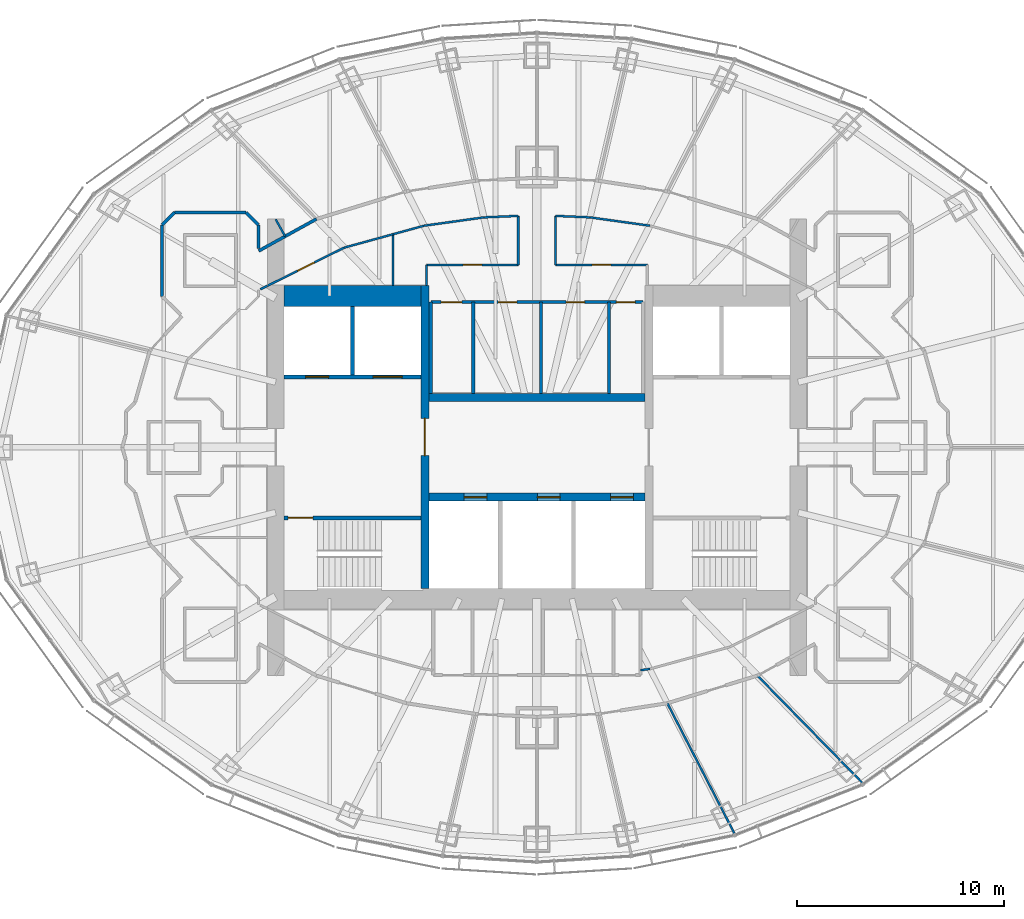
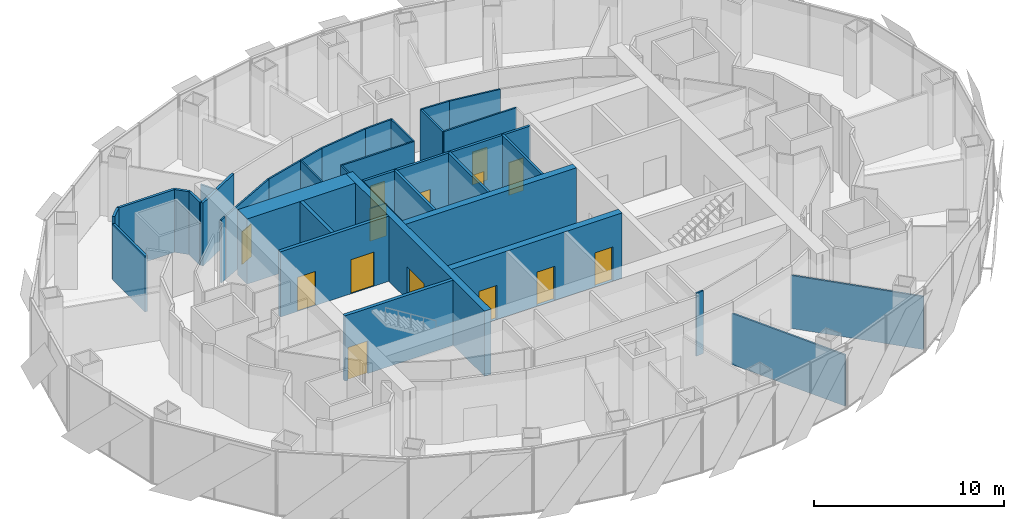
# One storey, part 13 of 19: 36 walls, 14 doors, 14 openings.
"""IFC4 building model written with IfcOpenShell, lengths in metres."""

import ifcopenshell
import ifcopenshell.guid

model = None  # the IFC model being written
_history = None  # IfcOwnerHistory: only IFC2X3 demands one
_inside = {}  # id of a spatial element -> (the spatial element, [elements in it])
_under = {}  # id of a project, library or spatial element -> (it, [spatial elements below it])
_declared = {}  # id of a project -> (the project, [libraries it declares])
_typed = {}  # id of a type object -> (the type object, [elements of that type])
_made_of = {}  # id of a material, layer set ... -> (it, [elements and type objects made of it])


def new_model(schema):
    """Start an empty IFC model of exactly this schema.

    Asked for "IFC4X3", IfcOpenShell would pick the latest addendum, in which some entities
    have other attributes; the version numbers below select the first issue.
    IFC2X3 requires an IfcOwnerHistory on every rooted entity: one is made here for all.
    """
    global model, _history
    if schema == "IFC4X3":
        model = ifcopenshell.file(schema_version=(4, 3, 0, 0))
    else:
        model = ifcopenshell.file(schema=schema)
    _inside.clear()
    _under.clear()
    _declared.clear()
    _typed.clear()
    _made_of.clear()
    _history = None
    if model.schema == "IFC2X3":
        org = make("IfcOrganization", Name="unknown")
        user = make(
            "IfcPersonAndOrganization",
            ThePerson=make("IfcPerson", FamilyName="unknown"),
            TheOrganization=org,
        )
        app = make(
            "IfcApplication",
            ApplicationDeveloper=org,
            Version="unknown",
            ApplicationFullName="unknown",
            ApplicationIdentifier="unknown",
        )
        _history = make(
            "IfcOwnerHistory",
            OwningUser=user,
            OwningApplication=app,
            ChangeAction="ADDED",
            CreationDate=0,
        )
    return model


def make(cls, **values):
    """One entity of the class cls with the attributes given. An attribute that is None is left unset."""
    return model.create_entity(
        cls, **{name: value for name, value in values.items() if value is not None}
    )


def rooted(cls, **values):
    """An entity with a GlobalId (a new one), such as an element, a storey or a relation."""
    return make(cls, GlobalId=ifcopenshell.guid.new(), OwnerHistory=_history, **values)


def si_unit(unit_type, name, prefix=None):
    """IfcSIUnit, for example si_unit("LENGTHUNIT", "METRE", prefix="MILLI")."""
    return make("IfcSIUnit", UnitType=unit_type, Prefix=prefix, Name=name)


def assignment(units):
    """IfcUnitAssignment: the units of a project."""
    return None if units is None else make("IfcUnitAssignment", Units=units)


def point(xyz):
    """IfcCartesianPoint."""
    return None if xyz is None else make("IfcCartesianPoint", Coordinates=xyz)


def direction(xyz):
    """IfcDirection."""
    return None if xyz is None else make("IfcDirection", DirectionRatios=xyz)


def frame(location, z_axis=None, x_axis=None):
    """IfcAxis2Placement3D, a coordinate frame: its origin and axes. An axis left out is left unset."""
    return make(
        "IfcAxis2Placement3D",
        Location=point(location),
        Axis=direction(z_axis),
        RefDirection=direction(x_axis),
    )


def frame_2d(location, x_axis=None):
    """IfcAxis2Placement2D, a coordinate frame in the plane: its origin and x axis."""
    return make(
        "IfcAxis2Placement2D", Location=point(location), RefDirection=direction(x_axis)
    )


def origin():
    """The frame at (0, 0, 0) with its axes left unset."""
    return frame((0.0, 0.0, 0.0))


def place(relative_to, where):
    """IfcLocalPlacement: puts the frame where relative to a parent placement (None: the world)."""
    return make(
        "IfcLocalPlacement", PlacementRelTo=relative_to, RelativePlacement=where
    )


def context(
    kind, dimensions, precision=None, world=None, true_north=None, identifier=None
):
    """IfcGeometricRepresentationContext, for example the 3D "Model" context."""
    return make(
        "IfcGeometricRepresentationContext",
        ContextIdentifier=identifier,
        ContextType=kind,
        CoordinateSpaceDimension=dimensions,
        Precision=precision,
        WorldCoordinateSystem=world,
        TrueNorth=true_north,
    )


def subcontext(parent, identifier, kind, view, scale=None):
    """IfcGeometricRepresentationSubContext, for example "Body" below "Model"."""
    return make(
        "IfcGeometricRepresentationSubContext",
        ContextIdentifier=identifier,
        ContextType=kind,
        ParentContext=parent,
        TargetScale=scale,
        TargetView=view,
    )


def project(units=None, contexts=None):
    """IfcProject with its units and contexts."""
    return rooted(
        "IfcProject",
        Name="project",
        RepresentationContexts=contexts,
        UnitsInContext=assignment(units),
    )


def spatial(cls, under=None, at=None, **own):
    """A site, building, storey or space (cls), placed at a placement, below another one or the project."""
    s = rooted(cls, ObjectPlacement=at, **own)
    if under is not None:
        _under.setdefault(under.id(), (under, []))[1].append(s)
    return s


def profile(cls, at=None, kind="AREA", **sizes):
    """A parametric profile (cls). Its sizes go by their IFC names, for example OverallWidth=200.0."""
    return make(cls, ProfileType=kind, Position=at, **sizes)


def rectangle(**sizes):
    """IfcRectangleProfileDef."""
    return profile("IfcRectangleProfileDef", **sizes)


def extrude(swept, where, along, depth):
    """IfcExtrudedAreaSolid: the profile swept, set in the frame where, extruded along a direction by depth."""
    return make(
        "IfcExtrudedAreaSolid",
        SweptArea=swept,
        Position=where,
        ExtrudedDirection=direction(along),
        Depth=depth,
    )


def shape(context_of_items, identifier, shape_type, items):
    """IfcShapeRepresentation: the items that make up one representation, for example the "Body"."""
    return make(
        "IfcShapeRepresentation",
        ContextOfItems=context_of_items,
        RepresentationIdentifier=identifier,
        RepresentationType=shape_type,
        Items=items,
    )


def material(Name=None, Category=None):
    """IfcMaterial."""
    return make("IfcMaterial", Name=Name, Category=Category)


def layer(
    of_material, thickness, ventilated=None, Name=None, Category=None, Priority=None
):
    """IfcMaterialLayer: one layer of a wall or slab, of a material (None: an air gap)."""
    return make(
        "IfcMaterialLayer",
        Material=of_material,
        LayerThickness=thickness,
        IsVentilated=ventilated,
        Name=Name,
        Category=Category,
        Priority=Priority,
    )


def layer_set(layers, Name=None):
    """IfcMaterialLayerSet."""
    return make("IfcMaterialLayerSet", MaterialLayers=layers, LayerSetName=Name)


def made_of(thing, what):
    """Note that an element or type object is made of a material, layer set ...; save() writes the relation."""
    if what is not None:
        _made_of.setdefault(what.id(), (what, []))[1].append(thing)
    return thing


def type_object(cls, material=None, **own):
    """A type object (cls), such as IfcWallType, which elements share."""
    return made_of(rooted(cls, **own), material)


def element(
    cls,
    number,
    at=None,
    inside=None,
    cuts=None,
    type_object=None,
    material=None,
    context=None,
    identifier="Body",
    shape_type=None,
    held_by="IfcProductDefinitionShape",
    body=None,
    shapes=None,
    **own,
):
    """One element of the class cls, such as IfcWall. Its Tag is "e" and its number.

    at: its placement. inside: the storey or other place that contains it. cuts: it is an
    opening in that element (IfcRelVoidsElement). A single representation is given by context,
    identifier, shape_type and body (its items); several are given by shapes. held_by: the class
    of the entity that holds the representations. save() writes the other relations.
    """
    e = rooted(cls, Tag="e%d" % number, ObjectPlacement=at, **own)
    if body is not None:
        shapes = [shape(context, identifier, shape_type, body)]
    if shapes is not None:
        e.Representation = make(held_by, Representations=shapes)
    if inside is not None:
        _inside.setdefault(inside.id(), (inside, []))[1].append(e)
    if cuts is not None:
        rooted(
            "IfcRelVoidsElement", RelatingBuildingElement=cuts, RelatedOpeningElement=e
        )
    if type_object is not None:
        _typed.setdefault(type_object.id(), (type_object, []))[1].append(e)
    return made_of(e, material)


def fill(opening, filler):
    """IfcRelFillsElement: the door or window that sits in an opening."""
    return rooted(
        "IfcRelFillsElement",
        RelatingOpeningElement=opening,
        RelatedBuildingElement=filler,
    )


def aggregate(whole, parts):
    """IfcRelAggregates: a whole, such as a stair, and the parts it consists of."""
    return rooted("IfcRelAggregates", RelatingObject=whole, RelatedObjects=parts)


def save(model, path):
    """Write the relations noted so far, then the file.

    IfcRelAggregates (storeys below a building ...), IfcRelContainedInSpatialStructure (elements
    in a storey), IfcRelDefinesByType, IfcRelAssociatesMaterial and IfcRelDeclares: one each for
    every whole, place, type object, material and project.
    """
    for whole, parts in _under.values():
        aggregate(whole, parts)
    for where, things in _inside.values():
        rooted(
            "IfcRelContainedInSpatialStructure",
            RelatedElements=things,
            RelatingStructure=where,
        )
    for kind, things in _typed.values():
        rooted("IfcRelDefinesByType", RelatedObjects=things, RelatingType=kind)
    for what, things in _made_of.values():
        rooted("IfcRelAssociatesMaterial", RelatedObjects=things, RelatingMaterial=what)
    for by, libraries in _declared.values():
        rooted("IfcRelDeclares", RelatingContext=by, RelatedDefinitions=libraries)
    model.write(path)


model = new_model("IFC4")

# Units and contexts
model_context = context("Model", 3, precision=1e-05, world=origin(), true_north=direction((0.0, 1.0)))
body_context = subcontext(model_context, "Body", "Model", "MODEL_VIEW")
ifc_project = project(units=[si_unit("LENGTHUNIT", "METRE"), si_unit("AREAUNIT", "SQUARE_METRE"), si_unit("VOLUMEUNIT", "CUBIC_METRE"), si_unit("PLANEANGLEUNIT", "RADIAN"), si_unit("MASSUNIT", "GRAM", prefix="KILO")], contexts=[model_context])

# Site, building, storey
site_placement = place(None, origin())
site = spatial("IfcSite", under=ifc_project, at=site_placement, CompositionType="ELEMENT")
building_placement = place(site_placement, origin())
building = spatial("IfcBuilding", under=site, at=building_placement, Name="Lantaw Convention Tower", CompositionType="ELEMENT")
storey_placement = place(building_placement, frame((0.0, 0.0, 253.60009765625)))
storey = spatial("IfcBuildingStorey", under=building, at=storey_placement, Name="L59", CompositionType="ELEMENT", Elevation=253.60009765625)

# Wall
ifc_material_1 = material(Name="Concrete C60/75", Category="concrete")
ifc_layer_1 = layer(ifc_material_1, 1.0)
ifc_layer_set_1 = layer_set([ifc_layer_1], Name="Core wall 1000")
wall_type_1 = type_object("IfcWallType", Name="Core wall 1000", PredefinedType="SHEAR", material=ifc_layer_set_1)
wall_1_placement = place(storey_placement, frame((-5.60009765625, 7.300048828125, 0.0), z_axis=(0.0, 0.0, 1.0), x_axis=(-1.0, 0.0, 0.0)))
element("IfcWall", 1, at=wall_1_placement, inside=storey, type_object=wall_type_1, Name="Core wall NW", PredefinedType="SHEAR", context=body_context, shape_type="SweptSolid", body=[
    extrude(rectangle(XDim=6.599853515625, YDim=1.0, at=frame_2d((3.2998046875, 0.0))), origin(), (0.0, 0.0, 1.0), 4.199951171875),
])

# Wall, opening, door
ifc_layer_2 = layer(ifc_material_1, 0.199951171875)
ifc_layer_set_2 = layer_set([ifc_layer_2], Name="Core wall 200")
wall_type_2 = type_object("IfcWallType", Name="Core wall 200", PredefinedType="SHEAR", material=ifc_layer_set_2)
wall_2_placement = place(storey_placement, frame((-5.60009765625, -3.39990234375, 0.0), z_axis=(0.0, 0.0, 1.0), x_axis=(-1.0, 0.0, 0.0)))
wall_2 = element("IfcWall", 2, at=wall_2_placement, inside=storey, type_object=wall_type_2, Name="Core wall WS", PredefinedType="SHEAR", context=body_context, shape_type="SweptSolid", body=[
    extrude(rectangle(XDim=6.599853515625, YDim=0.199951171875, at=frame_2d((3.2998046875, 0.0))), origin(), (0.0, 0.0, 1.0), 4.199951171875),
])
opening_1_placement = place(wall_2_placement, frame((5.199951171875, 0.0, 0.0)))
opening_1 = element("IfcOpeningElement", 3, at=opening_1_placement, cuts=wall_2, Name="Opening L59.04", PredefinedType="OPENING", context=body_context, shape_type="SweptSolid", body=[
    extrude(rectangle(XDim=1.199951171875, YDim=2.10009765625, at=frame_2d((0.60009765625, 1.050048828125))), frame((0.0, 0.10986328125, 0.0), z_axis=(0.0, -1.0, 0.0), x_axis=(1.0, 0.0, 0.0)), (0.0, 0.0, 1.0), 0.219970703125),
])
ifc_material_2 = material(Name="Steel, fire rated", Category="steel")
door_type_1 = type_object("IfcDoorType", Name="Stair door FD90", OperationType="SINGLE_SWING_RIGHT", PredefinedType="DOOR", material=ifc_material_2)
door_1_placement = place(opening_1_placement, origin())
door_1 = element("IfcDoor", 4, at=door_1_placement, inside=storey, type_object=door_type_1, Name="Exit stair door", OperationType="SINGLE_SWING_RIGHT", OverallHeight=2.10009765625, OverallWidth=1.199951171875, PredefinedType="DOOR", context=body_context, shape_type="SweptSolid", body=[
    extrude(rectangle(XDim=1.199951171875, YDim=2.10009765625, at=frame_2d((0.60009765625, 1.050048828125))), frame((0.0, 0.02490234375, 0.0), z_axis=(0.0, -1.0, 0.0), x_axis=(1.0, 0.0, 0.0)), (0.0, 0.0, 1.0), 0.050048828125),
])
fill(opening_1, door_1)

ifc_layer_3 = layer(ifc_material_1, 0.39990234375)
ifc_layer_set_3 = layer_set([ifc_layer_3], Name="Core wall 400")
wall_type_3 = type_object("IfcWallType", Name="Core wall 400", PredefinedType="SHEAR", material=ifc_layer_set_3)
wall_3_placement = place(storey_placement, frame((-5.39990234375, 7.800048828125, 0.0), z_axis=(0.0, 0.0, 1.0), x_axis=(0.0, -1.0, 0.0)))
wall_3 = element("IfcWall", 5, at=wall_3_placement, inside=storey, type_object=wall_type_3, Name="Core wall XW", PredefinedType="SHEAR", context=body_context, shape_type="SweptSolid", body=[
    extrude(rectangle(XDim=14.60009765625, YDim=0.39990234375, at=frame_2d((7.300048828125, 0.0))), origin(), (0.0, 0.0, 1.0), 4.199951171875),
])
opening_2_placement = place(wall_3_placement, frame((6.39990234375, 0.0, 0.0)))
opening_2 = element("IfcOpeningElement", 6, at=opening_2_placement, cuts=wall_3, Name="Opening L59.02", PredefinedType="OPENING", context=body_context, shape_type="SweptSolid", body=[
    extrude(rectangle(XDim=1.800048828125, YDim=2.10009765625, at=frame_2d((0.89990234375, 1.050048828125))), frame((0.0, 0.2099609375, 0.0), z_axis=(0.0, -1.0, 0.0), x_axis=(1.0, 0.0, 0.0)), (0.0, 0.0, 1.0), 0.419921875),
])
door_type_2 = type_object("IfcDoorType", Name="Lobby double door FD90", OperationType="DOUBLE_DOOR_DOUBLE_SWING", PredefinedType="DOOR", material=ifc_material_2)
door_2_placement = place(opening_2_placement, origin())
door_2 = element("IfcDoor", 7, at=door_2_placement, inside=storey, type_object=door_type_2, Name="Lift lobby door", OperationType="DOUBLE_DOOR_DOUBLE_SWING", OverallHeight=2.10009765625, OverallWidth=1.800048828125, PredefinedType="DOOR", context=body_context, shape_type="SweptSolid", body=[
    extrude(rectangle(XDim=1.800048828125, YDim=2.10009765625, at=frame_2d((0.89990234375, 1.050048828125))), frame((0.0, 0.02490234375, 0.0), z_axis=(0.0, -1.0, 0.0), x_axis=(1.0, 0.0, 0.0)), (0.0, 0.0, 1.0), 0.050048828125),
])
fill(opening_2, door_2)

# Wall, openings, doors
wall_4_placement = place(storey_placement, frame((-5.199951171875, -2.39990234375, 0.0), z_axis=(0.0, 0.0, 1.0), x_axis=(1.0, 0.0, 0.0)))
wall_4 = element("IfcWall", 8, at=wall_4_placement, inside=storey, type_object=wall_type_3, Name="Core wall BS", PredefinedType="SHEAR", context=body_context, shape_type="SweptSolid", body=[
    extrude(rectangle(XDim=10.39990234375, YDim=0.39990234375, at=frame_2d((5.199951171875, 0.0))), origin(), (0.0, 0.0, 1.0), 4.199951171875),
])
opening_3_placement = place(wall_4_placement, frame((1.683349609375, 0.0, 0.0)))
opening_3 = element("IfcOpeningElement", 9, at=opening_3_placement, cuts=wall_4, Name="Opening L59.07", PredefinedType="OPENING", context=body_context, shape_type="SweptSolid", body=[
    extrude(rectangle(XDim=1.10009765625, YDim=2.199951171875, at=frame_2d((0.550048828125, 1.10009765625))), frame((0.0, 0.2099609375, 0.0), z_axis=(0.0, -1.0, 0.0), x_axis=(1.0, 0.0, 0.0)), (0.0, 0.0, 1.0), 0.419921875),
])
opening_4_placement = place(wall_4_placement, frame((5.216796875, 0.0, 0.0)))
opening_4 = element("IfcOpeningElement", 10, at=opening_4_placement, cuts=wall_4, Name="Opening L59.08", PredefinedType="OPENING", context=body_context, shape_type="SweptSolid", body=[
    extrude(rectangle(XDim=1.10009765625, YDim=2.199951171875, at=frame_2d((0.550048828125, 1.10009765625))), frame((0.0, 0.2099609375, 0.0), z_axis=(0.0, -1.0, 0.0), x_axis=(1.0, 0.0, 0.0)), (0.0, 0.0, 1.0), 0.419921875),
])
opening_5_placement = place(wall_4_placement, frame((8.75, 0.0, 0.0)))
opening_5 = element("IfcOpeningElement", 11, at=opening_5_placement, cuts=wall_4, Name="Opening L59.09", PredefinedType="OPENING", context=body_context, shape_type="SweptSolid", body=[
    extrude(rectangle(XDim=1.10009765625, YDim=2.199951171875, at=frame_2d((0.550048828125, 1.10009765625))), frame((0.0, 0.2099609375, 0.0), z_axis=(0.0, -1.0, 0.0), x_axis=(1.0, 0.0, 0.0)), (0.0, 0.0, 1.0), 0.419921875),
])
ifc_material_3 = material(Name="Stainless steel", Category="steel")
door_type_3 = type_object("IfcDoorType", Name="Lift landing door 1100", OperationType="DOUBLE_DOOR_SLIDING", PredefinedType="DOOR", material=ifc_material_3)
door_3_placement = place(opening_3_placement, origin())
door_3 = element("IfcDoor", 12, at=door_3_placement, inside=storey, type_object=door_type_3, Name="Lift landing door S1", OperationType="DOUBLE_DOOR_SLIDING", OverallHeight=2.199951171875, OverallWidth=1.10009765625, PredefinedType="DOOR", context=body_context, shape_type="SweptSolid", body=[
    extrude(rectangle(XDim=1.10009765625, YDim=2.199951171875, at=frame_2d((0.550048828125, 1.10009765625))), frame((0.0, 0.02490234375, 0.0), z_axis=(0.0, -1.0, 0.0), x_axis=(1.0, 0.0, 0.0)), (0.0, 0.0, 1.0), 0.050048828125),
])
fill(opening_3, door_3)
door_4_placement = place(opening_4_placement, origin())
door_4 = element("IfcDoor", 13, at=door_4_placement, inside=storey, type_object=door_type_3, Name="Lift landing door S2", OperationType="DOUBLE_DOOR_SLIDING", OverallHeight=2.199951171875, OverallWidth=1.10009765625, PredefinedType="DOOR", context=body_context, shape_type="SweptSolid", body=[
    extrude(rectangle(XDim=1.10009765625, YDim=2.199951171875, at=frame_2d((0.550048828125, 1.10009765625))), frame((0.0, 0.02490234375, 0.0), z_axis=(0.0, -1.0, 0.0), x_axis=(1.0, 0.0, 0.0)), (0.0, 0.0, 1.0), 0.050048828125),
])
fill(opening_4, door_4)
door_5_placement = place(opening_5_placement, origin())
door_5 = element("IfcDoor", 14, at=door_5_placement, inside=storey, type_object=door_type_3, Name="Lift landing door S3", OperationType="DOUBLE_DOOR_SLIDING", OverallHeight=2.199951171875, OverallWidth=1.10009765625, PredefinedType="DOOR", context=body_context, shape_type="SweptSolid", body=[
    extrude(rectangle(XDim=1.10009765625, YDim=2.199951171875, at=frame_2d((0.550048828125, 1.10009765625))), frame((0.0, 0.02490234375, 0.0), z_axis=(0.0, -1.0, 0.0), x_axis=(1.0, 0.0, 0.0)), (0.0, 0.0, 1.0), 0.050048828125),
])
fill(opening_5, door_5)

# Walls
wall_5_placement = place(storey_placement, frame((5.199951171875, 2.39990234375, 0.0), z_axis=(0.0, 0.0, 1.0), x_axis=(-1.0, 0.0, 0.0)))
element("IfcWall", 15, at=wall_5_placement, inside=storey, type_object=wall_type_3, Name="Core wall BN", PredefinedType="SHEAR", context=body_context, shape_type="SweptSolid", body=[
    extrude(rectangle(XDim=10.39990234375, YDim=0.39990234375, at=frame_2d((5.199951171875, 0.0))), origin(), (0.0, 0.0, 1.0), 4.199951171875),
])
ifc_material_4 = material(Name="Gypsum board on steel studs, fire rated", Category="steel")
ifc_layer_4 = layer(ifc_material_4, 0.14990234375)
ifc_layer_set_4 = layer_set([ifc_layer_4], Name="Corridor wall 150 EI 60")
wall_type_4 = type_object("IfcWallType", Name="Corridor wall 150 EI 60", PredefinedType="PARTITIONING", material=ifc_layer_set_4)
wall_6_placement = place(storey_placement, frame((-10.6328125, 11.010498046875, 0.0), z_axis=(0.0, 0.0, 1.0), x_axis=(-0.875072100837, -0.483992580869, 0.0)))
element("IfcWall", 16, at=wall_6_placement, inside=storey, type_object=wall_type_4, Name="Corridor wall 150", PredefinedType="PARTITIONING", context=body_context, shape_type="SweptSolid", body=[
    extrude(rectangle(XDim=3.179443359375, YDim=0.14990234375, at=frame_2d((1.58984375, 0.0))), origin(), (0.0, 0.0, 1.0), 4.0498046875),
])
wall_7_placement = place(storey_placement, frame((-18.074951171875, 7.275390625, 0.0), z_axis=(0.0, 0.0, 1.0), x_axis=(0.0, 1.0, 0.0)))
element("IfcWall", 17, at=wall_7_placement, inside=storey, type_object=wall_type_4, Name="Corridor wall 150", PredefinedType="PARTITIONING", context=body_context, shape_type="SweptSolid", body=[
    extrude(rectangle(XDim=3.44921875, YDim=0.14990234375, at=frame_2d((1.724609375, 0.0))), origin(), (0.0, 0.0, 1.0), 3.600341796875),
])
wall_8_placement = place(storey_placement, frame((-18.074951171875, 10.724609375, 0.0), z_axis=(0.0, 0.0, 1.0), x_axis=(0.707106781187, 0.707106781187, 0.0)))
element("IfcWall", 18, at=wall_8_placement, inside=storey, type_object=wall_type_4, Name="Corridor wall 150", PredefinedType="PARTITIONING", context=body_context, shape_type="SweptSolid", body=[
    extrude(rectangle(XDim=0.84912109375, YDim=0.14990234375, at=frame_2d((0.424560546875, 0.0))), origin(), (0.0, 0.0, 1.0), 4.0498046875),
])
wall_9_placement = place(storey_placement, frame((-17.474609375, 11.324951171875, 0.0), z_axis=(0.0, 0.0, 1.0), x_axis=(1.0, 0.0, 0.0)))
element("IfcWall", 19, at=wall_9_placement, inside=storey, type_object=wall_type_4, Name="Corridor wall 150", PredefinedType="PARTITIONING", context=body_context, shape_type="SweptSolid", body=[
    extrude(rectangle(XDim=3.44921875, YDim=0.14990234375, at=frame_2d((1.724609375, 0.0))), origin(), (0.0, 0.0, 1.0), 4.0498046875),
])
wall_10_placement = place(storey_placement, frame((-14.025390625, 11.324951171875, 0.0), z_axis=(0.0, 0.0, 1.0), x_axis=(0.707106781187, -0.707106781187, 0.0)))
element("IfcWall", 20, at=wall_10_placement, inside=storey, type_object=wall_type_4, Name="Corridor wall 150", PredefinedType="PARTITIONING", context=body_context, shape_type="SweptSolid", body=[
    extrude(rectangle(XDim=0.84912109375, YDim=0.14990234375, at=frame_2d((0.424560546875, 0.0))), origin(), (0.0, 0.0, 1.0), 4.0498046875),
])
wall_11_placement = place(storey_placement, frame((-13.425048828125, 10.724609375, 0.0), z_axis=(0.0, 0.0, 1.0), x_axis=(0.0, -1.0, 0.0)))
element("IfcWall", 21, at=wall_11_placement, inside=storey, type_object=wall_type_4, Name="Corridor wall 150", PredefinedType="PARTITIONING", context=body_context, shape_type="SweptSolid", body=[
    extrude(rectangle(XDim=1.138427734375, YDim=0.14990234375, at=frame_2d((0.5693359375, 0.0))), origin(), (0.0, 0.0, 1.0), 4.0498046875),
])
ifc_material_5 = material(Name="Gypsum board on steel studs, acoustic", Category="steel")
ifc_layer_5 = layer(ifc_material_5, 0.10009765625)
ifc_layer_set_5 = layer_set([ifc_layer_5], Name="Office partition 100")
wall_type_5 = type_object("IfcWallType", Name="Office partition 100", PredefinedType="PARTITIONING", material=ifc_layer_set_5)
wall_12_placement = place(storey_placement, frame((9.53955078125, -18.650390625, 0.0), z_axis=(0.0, 0.0, 1.0), x_axis=(-0.45810402165, 0.88889859115, 0.0)))
element("IfcWall", 22, at=wall_12_placement, inside=storey, type_object=wall_type_5, Name="Office partition 100", PredefinedType="PARTITIONING", context=body_context, shape_type="SweptSolid", body=[
    extrude(rectangle(XDim=7.09814453125, YDim=0.10009765625, at=frame_2d((3.549072265625, 0.0))), origin(), (0.0, 0.0, 1.0), 3.29296875),
])
wall_13_placement = place(storey_placement, frame((15.709228515625, -16.19873046875, 0.0), z_axis=(0.0, 0.0, 1.0), x_axis=(-0.699362525935, 0.714767135029, 0.0)))
element("IfcWall", 23, at=wall_13_placement, inside=storey, type_object=wall_type_5, Name="Office partition 100", PredefinedType="PARTITIONING", context=body_context, shape_type="SweptSolid", body=[
    extrude(rectangle(XDim=7.258544921875, YDim=0.10009765625, at=frame_2d((3.62939453125, 0.0))), origin(), (0.0, 0.0, 1.0), 3.409912109375),
])
wall_14_placement = place(storey_placement, frame((5.4453125, -10.68701171875, 0.0), z_axis=(0.0, 0.0, 1.0), x_axis=(-0.990442882696, -0.137923515463, 0.0)))
element("IfcWall", 24, at=wall_14_placement, inside=storey, type_object=wall_type_5, Name="Office partition 100", PredefinedType="PARTITIONING", context=body_context, shape_type="SweptSolid", body=[
    extrude(rectangle(XDim=0.44970703125, YDim=0.10009765625, at=frame_2d((0.224853515625, 0.0))), origin(), (0.0, 0.0, 1.0), 4.0498046875),
])

# Wall, opening, door
wall_15_placement = place(storey_placement, frame((5.320068359375, 8.800048828125, 0.0), z_axis=(0.0, 0.0, 1.0), x_axis=(-1.0, 0.0, 0.0)))
wall_15 = element("IfcWall", 25, at=wall_15_placement, inside=storey, type_object=wall_type_5, Name="Office partition 100", PredefinedType="PARTITIONING", context=body_context, shape_type="SweptSolid", body=[
    extrude(rectangle(XDim=4.420166015625, YDim=0.10009765625, at=frame_2d((2.2099609375, 0.0))), origin(), (0.0, 0.0, 1.0), 4.0498046875),
])
opening_6_placement = place(wall_15_placement, frame((1.760009765625, 0.0, 0.0)))
opening_6 = element("IfcOpeningElement", 26, at=opening_6_placement, cuts=wall_15, Name="Opening L59.29", PredefinedType="OPENING", context=body_context, shape_type="SweptSolid", body=[
    extrude(rectangle(XDim=0.89990234375, YDim=2.10009765625, at=frame_2d((0.449951171875, 1.050048828125))), frame((0.0, 0.06005859375, 0.0), z_axis=(0.0, -1.0, 0.0), x_axis=(1.0, 0.0, 0.0)), (0.0, 0.0, 1.0), 0.1201171875),
])
ifc_material_6 = material(Name="Timber", Category="wood")
door_type_4 = type_object("IfcDoorType", Name="Office door 900", OperationType="SINGLE_SWING_LEFT", PredefinedType="DOOR", material=ifc_material_6)
door_6_placement = place(opening_6_placement, origin())
door_6 = element("IfcDoor", 27, at=door_6_placement, inside=storey, type_object=door_type_4, Name="Comms room door", OperationType="SINGLE_SWING_LEFT", OverallHeight=2.10009765625, OverallWidth=0.89990234375, PredefinedType="DOOR", context=body_context, shape_type="SweptSolid", body=[
    extrude(rectangle(XDim=0.89990234375, YDim=2.10009765625, at=frame_2d((0.449951171875, 1.050048828125))), frame((0.0, 0.02490234375, 0.0), z_axis=(0.0, -1.0, 0.0), x_axis=(1.0, 0.0, 0.0)), (0.0, 0.0, 1.0), 0.050048828125),
])
fill(opening_6, door_6)

# Walls
wall_16_placement = place(storey_placement, frame((0.89990234375, 8.800048828125, 0.0), z_axis=(0.0, 0.0, 1.0), x_axis=(0.0, 1.0, 0.0)))
element("IfcWall", 28, at=wall_16_placement, inside=storey, type_object=wall_type_5, Name="Office partition 100", PredefinedType="PARTITIONING", context=body_context, shape_type="SweptSolid", body=[
    extrude(rectangle(XDim=2.36083984375, YDim=0.10009765625, at=frame_2d((1.180419921875, 0.0))), origin(), (0.0, 0.0, 1.0), 4.0498046875),
])
wall_17_placement = place(storey_placement, frame((0.89990234375, 11.160888671875, 0.0), z_axis=(0.0, 0.0, 1.0), x_axis=(0.999053939397, -0.043488230303, 0.0)))
element("IfcWall", 29, at=wall_17_placement, inside=storey, type_object=wall_type_5, Name="Office partition 100", PredefinedType="PARTITIONING", context=body_context, shape_type="SweptSolid", body=[
    extrude(rectangle(XDim=1.66162109375, YDim=0.10009765625, at=frame_2d((0.830810546875, 0.0))), origin(), (0.0, 0.0, 1.0), 4.0498046875),
])
wall_18_placement = place(storey_placement, frame((2.56005859375, 11.088623046875, 0.0), z_axis=(0.0, 0.0, 1.0), x_axis=(0.99045099049, -0.137865280027, 0.0)))
element("IfcWall", 30, at=wall_18_placement, inside=storey, type_object=wall_type_5, Name="Office partition 100", PredefinedType="PARTITIONING", context=body_context, shape_type="SweptSolid", body=[
    extrude(rectangle(XDim=2.9130859375, YDim=0.10009765625, at=frame_2d((1.45654296875, 0.0))), origin(), (0.0, 0.0, 1.0), 4.0498046875),
])
wall_19_placement = place(storey_placement, frame((-9.2978515625, 9.628173828125, 0.0), z_axis=(0.0, 0.0, 1.0), x_axis=(0.964255150805, 0.264975478385, 0.0)))
element("IfcWall", 31, at=wall_19_placement, inside=storey, type_object=wall_type_5, Name="Office partition 100", PredefinedType="PARTITIONING", context=body_context, shape_type="SweptSolid", body=[
    extrude(rectangle(XDim=2.4453125, YDim=0.10009765625, at=frame_2d((1.22265625, 0.0))), origin(), (0.0, 0.0, 1.0), 4.0498046875),
])
wall_20_placement = place(storey_placement, frame((-6.93994140625, 10.276123046875, 0.0), z_axis=(0.0, 0.0, 1.0), x_axis=(0.0, -1.0, 0.0)))
element("IfcWall", 32, at=wall_20_placement, inside=storey, type_object=wall_type_5, Name="Office partition 100", PredefinedType="PARTITIONING", context=body_context, shape_type="SweptSolid", body=[
    extrude(rectangle(XDim=2.47607421875, YDim=0.10009765625, at=frame_2d((1.238037109375, 0.0))), origin(), (0.0, 0.0, 1.0), 4.0498046875),
])

# Wall, opening, door
wall_21_placement = place(storey_placement, frame((-12.976806640625, 7.800048828125, 0.0), z_axis=(0.0, 0.0, 1.0), x_axis=(0.895529831139, 0.445001484874, 0.0)))
wall_21 = element("IfcWall", 33, at=wall_21_placement, inside=storey, type_object=wall_type_5, Name="Office partition 100", PredefinedType="PARTITIONING", context=body_context, shape_type="SweptSolid", body=[
    extrude(rectangle(XDim=4.108154296875, YDim=0.10009765625, at=frame_2d((2.05419921875, 0.0))), origin(), (0.0, 0.0, 1.0), 4.0498046875),
])
opening_7_placement = place(wall_21_placement, frame((1.60400390625, 0.0, 0.0)))
opening_7 = element("IfcOpeningElement", 34, at=opening_7_placement, cuts=wall_21, Name="Opening L59.30", PredefinedType="OPENING", context=body_context, shape_type="SweptSolid", body=[
    extrude(rectangle(XDim=0.89990234375, YDim=2.10009765625, at=frame_2d((0.449951171875, 1.050048828125))), frame((0.0, 0.06005859375, 0.0), z_axis=(0.0, -1.0, 0.0), x_axis=(1.0, 0.0, 0.0)), (0.0, 0.0, 1.0), 0.1201171875),
])
door_7_placement = place(opening_7_placement, origin())
door_7 = element("IfcDoor", 35, at=door_7_placement, inside=storey, type_object=door_type_4, Name="Meeting room door", OperationType="SINGLE_SWING_LEFT", OverallHeight=2.10009765625, OverallWidth=0.89990234375, PredefinedType="DOOR", context=body_context, shape_type="SweptSolid", body=[
    extrude(rectangle(XDim=0.89990234375, YDim=2.10009765625, at=frame_2d((0.449951171875, 1.050048828125))), frame((0.0, 0.02490234375, 0.0), z_axis=(0.0, -1.0, 0.0), x_axis=(1.0, 0.0, 0.0)), (0.0, 0.0, 1.0), 0.050048828125),
])
fill(opening_7, door_7)

# Walls
wall_22_placement = place(storey_placement, frame((-5.4453125, 10.68701171875, 0.0), z_axis=(0.0, 0.0, 1.0), x_axis=(0.99045099049, 0.137865280027, 0.0)))
element("IfcWall", 36, at=wall_22_placement, inside=storey, type_object=wall_type_5, Name="Office partition 100", PredefinedType="PARTITIONING", context=body_context, shape_type="SweptSolid", body=[
    extrude(rectangle(XDim=2.9130859375, YDim=0.10009765625, at=frame_2d((1.45654296875, 0.0))), origin(), (0.0, 0.0, 1.0), 4.0498046875),
])
wall_23_placement = place(storey_placement, frame((-2.56005859375, 11.088623046875, 0.0), z_axis=(0.0, 0.0, 1.0), x_axis=(0.999053939397, 0.043488230303, 0.0)))
element("IfcWall", 37, at=wall_23_placement, inside=storey, type_object=wall_type_5, Name="Office partition 100", PredefinedType="PARTITIONING", context=body_context, shape_type="SweptSolid", body=[
    extrude(rectangle(XDim=1.66162109375, YDim=0.10009765625, at=frame_2d((0.830810546875, 0.0))), origin(), (0.0, 0.0, 1.0), 4.0498046875),
])
wall_24_placement = place(storey_placement, frame((-0.89990234375, 11.160888671875, 0.0), z_axis=(0.0, 0.0, 1.0), x_axis=(0.0, -1.0, 0.0)))
element("IfcWall", 38, at=wall_24_placement, inside=storey, type_object=wall_type_5, Name="Office partition 100", PredefinedType="PARTITIONING", context=body_context, shape_type="SweptSolid", body=[
    extrude(rectangle(XDim=2.36083984375, YDim=0.10009765625, at=frame_2d((1.180419921875, 0.0))), origin(), (0.0, 0.0, 1.0), 4.0498046875),
])

# Wall, opening, door
wall_25_placement = place(storey_placement, frame((-0.89990234375, 8.800048828125, 0.0), z_axis=(0.0, 0.0, 1.0), x_axis=(-1.0, 0.0, 0.0)))
wall_25 = element("IfcWall", 39, at=wall_25_placement, inside=storey, type_object=wall_type_5, Name="Office partition 100", PredefinedType="PARTITIONING", context=body_context, shape_type="SweptSolid", body=[
    extrude(rectangle(XDim=4.420166015625, YDim=0.10009765625, at=frame_2d((2.2099609375, 0.0))), origin(), (0.0, 0.0, 1.0), 4.0498046875),
])
opening_8_placement = place(wall_25_placement, frame((1.760009765625, 0.0, 0.0)))
opening_8 = element("IfcOpeningElement", 40, at=opening_8_placement, cuts=wall_25, Name="Opening L59.31", PredefinedType="OPENING", context=body_context, shape_type="SweptSolid", body=[
    extrude(rectangle(XDim=0.89990234375, YDim=2.10009765625, at=frame_2d((0.449951171875, 1.050048828125))), frame((0.0, 0.06005859375, 0.0), z_axis=(0.0, -1.0, 0.0), x_axis=(1.0, 0.0, 0.0)), (0.0, 0.0, 1.0), 0.1201171875),
])
door_8_placement = place(opening_8_placement, origin())
door_8 = element("IfcDoor", 41, at=door_8_placement, inside=storey, type_object=door_type_4, Name="Project room door", OperationType="SINGLE_SWING_LEFT", OverallHeight=2.10009765625, OverallWidth=0.89990234375, PredefinedType="DOOR", context=body_context, shape_type="SweptSolid", body=[
    extrude(rectangle(XDim=0.89990234375, YDim=2.10009765625, at=frame_2d((0.449951171875, 1.050048828125))), frame((0.0, 0.02490234375, 0.0), z_axis=(0.0, -1.0, 0.0), x_axis=(1.0, 0.0, 0.0)), (0.0, 0.0, 1.0), 0.050048828125),
])
fill(opening_8, door_8)

# Walls
wall_26_placement = place(storey_placement, frame((-5.320068359375, 8.800048828125, 0.0), z_axis=(0.0, 0.0, 1.0), x_axis=(0.0, -1.0, 0.0)))
element("IfcWall", 42, at=wall_26_placement, inside=storey, type_object=wall_type_5, Name="Office partition 100", PredefinedType="PARTITIONING", context=body_context, shape_type="SweptSolid", body=[
    extrude(rectangle(XDim=1.0, YDim=0.10009765625, at=frame_2d((0.5, 0.0))), origin(), (0.0, 0.0, 1.0), 4.0498046875),
])
wall_27_placement = place(storey_placement, frame((-6.93994140625, 10.276123046875, 0.0), z_axis=(0.0, 0.0, 1.0), x_axis=(0.964227536736, 0.265075946476, 0.0)))
element("IfcWall", 43, at=wall_27_placement, inside=storey, type_object=wall_type_5, Name="Office partition 100", PredefinedType="PARTITIONING", context=body_context, shape_type="SweptSolid", body=[
    extrude(rectangle(XDim=1.550048828125, YDim=0.10009765625, at=frame_2d((0.77490234375, 0.0))), origin(), (0.0, 0.0, 1.0), 4.0498046875),
])
wall_28_placement = place(storey_placement, frame((-13.3369140625, 7.62109375, 0.0), z_axis=(0.0, 0.0, 1.0), x_axis=(0.895721570004, 0.444615416995, 0.0)))
element("IfcWall", 44, at=wall_28_placement, inside=storey, type_object=wall_type_5, Name="Office partition 100", PredefinedType="PARTITIONING", context=body_context, shape_type="SweptSolid", body=[
    extrude(rectangle(XDim=0.376220703125, YDim=0.10009765625, at=frame_2d((0.18798828125, 0.0))), origin(), (0.0, 0.0, 1.0), 4.0498046875),
])
wall_29_placement = place(storey_placement, frame((-12.60009765625, 11.0, 0.0), z_axis=(0.0, 0.0, 1.0), x_axis=(0.484103558985, -0.875010710893, 0.0)))
element("IfcWall", 45, at=wall_29_placement, inside=storey, type_object=wall_type_5, Name="Office partition 100", PredefinedType="PARTITIONING", context=body_context, shape_type="SweptSolid", body=[
    extrude(rectangle(XDim=0.943115234375, YDim=0.10009765625, at=frame_2d((0.4716796875, 0.0))), origin(), (0.0, 0.0, 1.0), 4.0498046875),
])

# Wall, openings, doors
ifc_material_7 = material(Name="Concrete blockwork, fire rated", Category="masonry")
ifc_layer_6 = layer(ifc_material_7, 0.199951171875)
ifc_layer_set_6 = layer_set([ifc_layer_6], Name="Shaft wall 200")
wall_type_6 = type_object("IfcWallType", Name="Shaft wall 200", PredefinedType="SOLIDWALL", material=ifc_layer_set_6)
wall_30_placement = place(storey_placement, frame((-12.199951171875, 3.39990234375, 0.0), z_axis=(0.0, 0.0, 1.0), x_axis=(1.0, 0.0, 0.0)))
wall_30 = element("IfcWall", 46, at=wall_30_placement, inside=storey, type_object=wall_type_6, Name="Shaft wall WN", PredefinedType="SOLIDWALL", context=body_context, shape_type="SweptSolid", body=[
    extrude(rectangle(XDim=6.599853515625, YDim=0.199951171875, at=frame_2d((3.2998046875, 0.0))), origin(), (0.0, 0.0, 1.0), 4.199951171875),
])
opening_9_placement = place(wall_30_placement, frame((1.050048828125, 0.0, 0.0)))
opening_9 = element("IfcOpeningElement", 47, at=opening_9_placement, cuts=wall_30, Name="Opening L59.10", PredefinedType="OPENING", context=body_context, shape_type="SweptSolid", body=[
    extrude(rectangle(XDim=1.10009765625, YDim=2.199951171875, at=frame_2d((0.550048828125, 1.10009765625))), frame((0.0, 0.10986328125, 0.0), z_axis=(0.0, -1.0, 0.0), x_axis=(1.0, 0.0, 0.0)), (0.0, 0.0, 1.0), 0.219970703125),
])
opening_10_placement = place(wall_30_placement, frame((4.300048828125, 0.0, 0.0)))
opening_10 = element("IfcOpeningElement", 48, at=opening_10_placement, cuts=wall_30, Name="Opening L59.11", PredefinedType="OPENING", context=body_context, shape_type="SweptSolid", body=[
    extrude(rectangle(XDim=1.39990234375, YDim=2.199951171875, at=frame_2d((0.699951171875, 1.10009765625))), frame((0.0, 0.10986328125, 0.0), z_axis=(0.0, -1.0, 0.0), x_axis=(1.0, 0.0, 0.0)), (0.0, 0.0, 1.0), 0.219970703125),
])
door_9_placement = place(opening_9_placement, origin())
door_9 = element("IfcDoor", 49, at=door_9_placement, inside=storey, type_object=door_type_3, Name="Lift landing door FF1", OperationType="DOUBLE_DOOR_SLIDING", OverallHeight=2.199951171875, OverallWidth=1.10009765625, PredefinedType="DOOR", context=body_context, shape_type="SweptSolid", body=[
    extrude(rectangle(XDim=1.10009765625, YDim=2.199951171875, at=frame_2d((0.550048828125, 1.10009765625))), frame((0.0, 0.02490234375, 0.0), z_axis=(0.0, -1.0, 0.0), x_axis=(1.0, 0.0, 0.0)), (0.0, 0.0, 1.0), 0.050048828125),
])
fill(opening_9, door_9)
door_type_5 = type_object("IfcDoorType", Name="Lift landing door 1400", OperationType="DOUBLE_DOOR_SLIDING", PredefinedType="DOOR", material=ifc_material_3)
door_10_placement = place(opening_10_placement, origin())
door_10 = element("IfcDoor", 50, at=door_10_placement, inside=storey, type_object=door_type_5, Name="Lift landing door SV1", OperationType="DOUBLE_DOOR_SLIDING", OverallHeight=2.199951171875, OverallWidth=1.39990234375, PredefinedType="DOOR", context=body_context, shape_type="SweptSolid", body=[
    extrude(rectangle(XDim=1.39990234375, YDim=2.199951171875, at=frame_2d((0.699951171875, 1.10009765625))), frame((0.0, 0.02490234375, 0.0), z_axis=(0.0, -1.0, 0.0), x_axis=(1.0, 0.0, 0.0)), (0.0, 0.0, 1.0), 0.050048828125),
])
fill(opening_10, door_10)

# Wall
wall_31_placement = place(storey_placement, frame((-8.89990234375, 3.5, 0.0), z_axis=(0.0, 0.0, 1.0), x_axis=(0.0, 1.0, 0.0)))
element("IfcWall", 51, at=wall_31_placement, inside=storey, type_object=wall_type_6, Name="Shaft wall WD", PredefinedType="SOLIDWALL", context=body_context, shape_type="SweptSolid", body=[
    extrude(rectangle(XDim=3.300048828125, YDim=0.199951171875, at=frame_2d((1.64990234375, 0.0))), origin(), (0.0, 0.0, 1.0), 4.199951171875),
])

# Wall, openings, doors
ifc_material_8 = material(Name="Concrete blockwork", Category="masonry")
ifc_layer_7 = layer(ifc_material_8, 0.14990234375)
ifc_layer_set_7 = layer_set([ifc_layer_7], Name="WC wall 150")
wall_type_7 = type_object("IfcWallType", Name="WC wall 150", PredefinedType="SOLIDWALL", material=ifc_layer_set_7)
wall_32_placement = place(storey_placement, frame((-5.1201171875, 7.0, 0.0), z_axis=(0.0, 0.0, 1.0), x_axis=(1.0, 0.0, 0.0)))
wall_32 = element("IfcWall", 52, at=wall_32_placement, inside=storey, type_object=wall_type_7, Name="WC wall 150", PredefinedType="SOLIDWALL", context=body_context, shape_type="SweptSolid", body=[
    extrude(rectangle(XDim=10.240234375, YDim=0.14990234375, at=frame_2d((5.1201171875, 0.0))), origin(), (0.0, 0.0, 1.0), 4.0498046875),
])
opening_11_placement = place(wall_32_placement, frame((0.5, 0.0, 0.0)))
opening_11 = element("IfcOpeningElement", 53, at=opening_11_placement, cuts=wall_32, Name="Opening L59.14", PredefinedType="OPENING", context=body_context, shape_type="SweptSolid", body=[
    extrude(rectangle(XDim=1.0, YDim=2.10009765625, at=frame_2d((0.5, 1.050048828125))), frame((0.0, 0.0849609375, 0.0), z_axis=(0.0, -1.0, 0.0), x_axis=(1.0, 0.0, 0.0)), (0.0, 0.0, 1.0), 0.169921875),
])
opening_12_placement = place(wall_32_placement, frame((3.248046875, 0.0, 0.0)))
opening_12 = element("IfcOpeningElement", 54, at=opening_12_placement, cuts=wall_32, Name="Opening L59.15", PredefinedType="OPENING", context=body_context, shape_type="SweptSolid", body=[
    extrude(rectangle(XDim=0.89990234375, YDim=2.10009765625, at=frame_2d((0.449951171875, 1.050048828125))), frame((0.0, 0.0849609375, 0.0), z_axis=(0.0, -1.0, 0.0), x_axis=(1.0, 0.0, 0.0)), (0.0, 0.0, 1.0), 0.169921875),
])
opening_13_placement = place(wall_32_placement, frame((6.52490234375, 0.0, 0.0)))
opening_13 = element("IfcOpeningElement", 55, at=opening_13_placement, cuts=wall_32, Name="Opening L59.16", PredefinedType="OPENING", context=body_context, shape_type="SweptSolid", body=[
    extrude(rectangle(XDim=0.89990234375, YDim=2.10009765625, at=frame_2d((0.449951171875, 1.050048828125))), frame((0.0, 0.0849609375, 0.0), z_axis=(0.0, -1.0, 0.0), x_axis=(1.0, 0.0, 0.0)), (0.0, 0.0, 1.0), 0.169921875),
])
opening_14_placement = place(wall_32_placement, frame((8.95166015625, 0.0, 0.0)))
opening_14 = element("IfcOpeningElement", 56, at=opening_14_placement, cuts=wall_32, Name="Opening L59.17", PredefinedType="OPENING", context=body_context, shape_type="SweptSolid", body=[
    extrude(rectangle(XDim=0.89990234375, YDim=2.10009765625, at=frame_2d((0.449951171875, 1.050048828125))), frame((0.0, 0.0849609375, 0.0), z_axis=(0.0, -1.0, 0.0), x_axis=(1.0, 0.0, 0.0)), (0.0, 0.0, 1.0), 0.169921875),
])
door_type_6 = type_object("IfcDoorType", Name="Accessible WC door 1000", OperationType="SINGLE_SWING_LEFT", PredefinedType="DOOR", material=ifc_material_6)
door_11_placement = place(opening_11_placement, origin())
door_11 = element("IfcDoor", 57, at=door_11_placement, inside=storey, type_object=door_type_6, Name="Accessible WC door", OperationType="SINGLE_SWING_LEFT", OverallHeight=2.10009765625, OverallWidth=1.0, PredefinedType="DOOR", context=body_context, shape_type="SweptSolid", body=[
    extrude(rectangle(XDim=1.0, YDim=2.10009765625, at=frame_2d((0.5, 1.050048828125))), frame((0.0, 0.02490234375, 0.0), z_axis=(0.0, -1.0, 0.0), x_axis=(1.0, 0.0, 0.0)), (0.0, 0.0, 1.0), 0.050048828125),
])
fill(opening_11, door_11)
door_type_7 = type_object("IfcDoorType", Name="WC door 900", OperationType="SINGLE_SWING_LEFT", PredefinedType="DOOR", material=ifc_material_6)
door_12_placement = place(opening_12_placement, origin())
door_12 = element("IfcDoor", 58, at=door_12_placement, inside=storey, type_object=door_type_7, Name="Male WC door", OperationType="SINGLE_SWING_LEFT", OverallHeight=2.10009765625, OverallWidth=0.89990234375, PredefinedType="DOOR", context=body_context, shape_type="SweptSolid", body=[
    extrude(rectangle(XDim=0.89990234375, YDim=2.10009765625, at=frame_2d((0.449951171875, 1.050048828125))), frame((0.0, 0.02490234375, 0.0), z_axis=(0.0, -1.0, 0.0), x_axis=(1.0, 0.0, 0.0)), (0.0, 0.0, 1.0), 0.050048828125),
])
fill(opening_12, door_12)
door_13_placement = place(opening_13_placement, origin())
door_13 = element("IfcDoor", 59, at=door_13_placement, inside=storey, type_object=door_type_7, Name="Female WC door", OperationType="SINGLE_SWING_LEFT", OverallHeight=2.10009765625, OverallWidth=0.89990234375, PredefinedType="DOOR", context=body_context, shape_type="SweptSolid", body=[
    extrude(rectangle(XDim=0.89990234375, YDim=2.10009765625, at=frame_2d((0.449951171875, 1.050048828125))), frame((0.0, 0.02490234375, 0.0), z_axis=(0.0, -1.0, 0.0), x_axis=(1.0, 0.0, 0.0)), (0.0, 0.0, 1.0), 0.050048828125),
])
fill(opening_13, door_13)
door_14_placement = place(opening_14_placement, origin())
door_14 = element("IfcDoor", 60, at=door_14_placement, inside=storey, type_object=door_type_7, Name="Cleaner's store door", OperationType="SINGLE_SWING_LEFT", OverallHeight=2.10009765625, OverallWidth=0.89990234375, PredefinedType="DOOR", context=body_context, shape_type="SweptSolid", body=[
    extrude(rectangle(XDim=0.89990234375, YDim=2.10009765625, at=frame_2d((0.449951171875, 1.050048828125))), frame((0.0, 0.02490234375, 0.0), z_axis=(0.0, -1.0, 0.0), x_axis=(1.0, 0.0, 0.0)), (0.0, 0.0, 1.0), 0.050048828125),
])
fill(opening_14, door_14)

# Walls
for number, where, z_axis, x_axis, name in (
    (61, (-5.1201171875, 2.60009765625, 0.0), (0.0, 0.0, 1.0), (0.0, 1.0, 0.0), "WC wall 150"),
    (62, (-3.072021484375, 2.60009765625, 0.0), (0.0, 0.0, 1.0), (0.0, 1.0, 0.0), "WC wall 150"),
    (63, (0.204833984375, 2.60009765625, 0.0), (0.0, 0.0, 1.0), (0.0, 1.0, 0.0), "WC wall 150"),
    (64, (3.481689453125, 2.60009765625, 0.0), (0.0, 0.0, 1.0), (0.0, 1.0, 0.0), "WC wall 150"),
):
    element("IfcWall", number, at=place(storey_placement, frame(where, z_axis=z_axis, x_axis=x_axis)), inside=storey, type_object=wall_type_7, Name=name, PredefinedType="SOLIDWALL", context=body_context, shape_type="SweptSolid", body=[
        extrude(rectangle(XDim=4.39990234375, YDim=0.14990234375, at=frame_2d((2.199951171875, 0.0))), origin(), (0.0, 0.0, 1.0), 4.0498046875),
    ])

save(model, "model.ifc")
